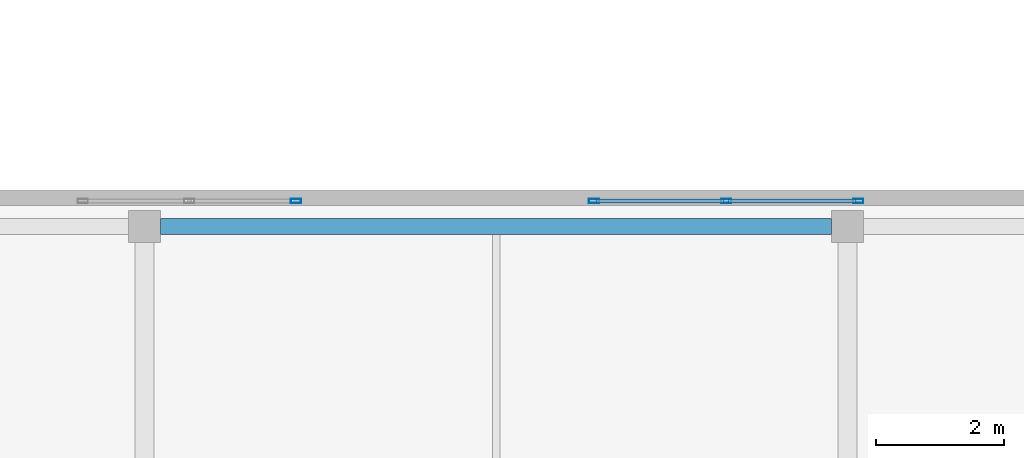
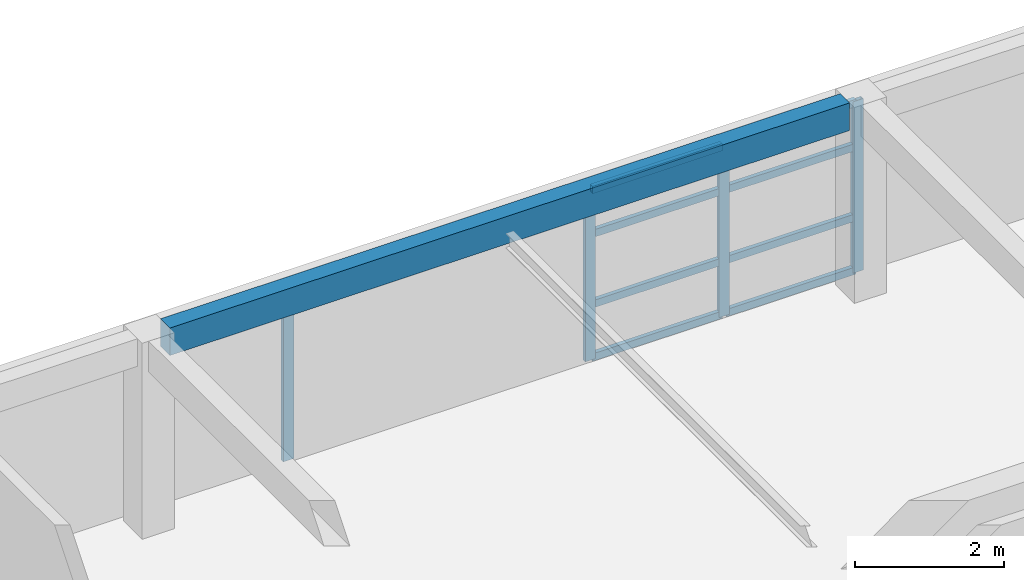
# One storey, part 27 of 89: 12 members, 1 beam, 2 elements without a shape of their own.
"""IFC4 building model written with IfcOpenShell, lengths in metres."""

from ifc_helpers import new_model, si_unit, direction, frame, origin, origin_2d, place, context, subcontext, project, spatial, rectangle, hollow_rectangle, extrude, material, layer, layer_set, material_profile, profile_set, type_object, element, aggregate, save


model = new_model("IFC4")

# Units and contexts
model_context = context("Model", 3, precision=1e-05, world=origin(), true_north=direction((0.0, 1.0)))
body_context = subcontext(model_context, "Body", "Model", "MODEL_VIEW")
ifc_project = project(units=[si_unit("LENGTHUNIT", "METRE"), si_unit("AREAUNIT", "SQUARE_METRE"), si_unit("VOLUMEUNIT", "CUBIC_METRE"), si_unit("PLANEANGLEUNIT", "RADIAN"), si_unit("MASSUNIT", "GRAM", prefix="KILO")], contexts=[model_context])

# Site, building, storey
site_placement = place(None, origin())
site = spatial("IfcSite", under=ifc_project, at=site_placement, CompositionType="ELEMENT")
building_placement = place(site_placement, origin())
building = spatial("IfcBuilding", under=site, at=building_placement, Name="Keldmere Railside Commons", CompositionType="ELEMENT")
storey_placement = place(building_placement, frame((0.0, 0.0, 7.360107421875)))
storey = spatial("IfcBuildingStorey", under=building, at=storey_placement, Name="L02", CompositionType="ELEMENT", Elevation=7.360107421875)

# Beam
ifc_material_1 = material(Name="Architectural Precast Concrete H-35 (C35/45)", Category="concrete")
ifc_material_profile_1 = material_profile(ifc_material_1, rectangle(XDim=0.25, YDim=0.449951171875, at=origin_2d()), Name="RC-250x450")
ifc_profile_set_1 = profile_set([ifc_material_profile_1], Name="Architectural Precast Concrete H-35 (C35/45)")
beam_type = type_object("IfcBeamType", Name="Perimeter Precast Spandrel Beam 250x450", PredefinedType="SPANDREL", material=ifc_profile_set_1)
beam_placement = place(storey_placement, frame((148.25, 39.550048828125, 2.974853515625), z_axis=(1.0, 0.0, 0.0), x_axis=(0.0, 1.0, 0.0)))
element("IfcBeam", 1, at=beam_placement, inside=storey, type_object=beam_type, Name="SPB-1 BM-L02-1065", PredefinedType="SPANDREL", context=body_context, shape_type="SweptSolid", body=[
    extrude(rectangle(XDim=0.25, YDim=0.449951171875, at=origin_2d()), origin(), (0.0, 0.0, 1.0), 10.5),
])

# Curtain wall, member
ifc_material_2 = material(Name="Thermally Broken Aluminium", Category="aluminium")
ifc_layer_1 = layer(ifc_material_2, 0.159912109375, Name="Sky-Terrace Lounge CW 3400x2850")
ifc_layer_set_1 = layer_set([ifc_layer_1], Name="Thermally Broken Aluminium")
curtain_wall_type_1 = type_object("IfcCurtainWallType", Name="Sky-Terrace Lounge CW 3400x2850", PredefinedType="NOTDEFINED", material=ifc_layer_set_1)
curtain_wall_1_placement = place(storey_placement, origin())
curtain_wall_1 = element("IfcCurtainWall", 2, at=curtain_wall_1_placement, inside=storey, type_object=curtain_wall_type_1, Name="CW-14 CW-L02-226", PredefinedType="NOTDEFINED")
ifc_material_profile_2 = material_profile(ifc_material_2, hollow_rectangle(XDim=0.06494140625, YDim=0.159912109375, WallThickness=0.00390625, at=origin_2d()), Name="ALU-MULL-65x160")
ifc_profile_set_2 = profile_set([ifc_material_profile_2], Name="Thermally Broken Aluminium")
member_type_1 = type_object("IfcMemberType", Name="Unitised Curtain Wall Mullion 65x160", PredefinedType="MULLION", material=ifc_profile_set_2)
member_1_placement = place(storey_placement, frame((150.367431640625, 39.949951171875, 0.0), z_axis=(0.0, 0.0, 1.0), x_axis=(0.0, 1.0, 0.0)))
member_1 = element("IfcMember", 3, at=member_1_placement, type_object=member_type_1, Name="CW-14 mullion 3", PredefinedType="MULLION", context=body_context, shape_type="SweptSolid", body=[
    extrude(hollow_rectangle(XDim=0.06494140625, YDim=0.159912109375, WallThickness=0.00390625, at=origin_2d()), origin(), (0.0, 0.0, 1.0), 2.7998046875),
])
aggregate(curtain_wall_1, [member_1])

# Curtain wall, members
ifc_layer_2 = layer(ifc_material_2, 0.159912109375, Name="Sky-Terrace Corner CW 4200x2850")
ifc_layer_set_2 = layer_set([ifc_layer_2], Name="Thermally Broken Aluminium")
curtain_wall_type_2 = type_object("IfcCurtainWallType", Name="Sky-Terrace Corner CW 4200x2850", PredefinedType="NOTDEFINED", material=ifc_layer_set_2)
curtain_wall_2_placement = place(storey_placement, origin())
curtain_wall_2 = element("IfcCurtainWall", 4, at=curtain_wall_2_placement, inside=storey, type_object=curtain_wall_type_2, Name="CW-15 CW-L02-227", PredefinedType="NOTDEFINED")
member_2_placement = place(storey_placement, frame((155.032470703125, 39.949951171875, 0.0), z_axis=(0.0, 0.0, 1.0), x_axis=(0.0, 1.0, 0.0)))
member_2 = element("IfcMember", 5, at=member_2_placement, type_object=member_type_1, Name="CW-15 mullion 1", PredefinedType="MULLION", context=body_context, shape_type="SweptSolid", body=[
    extrude(hollow_rectangle(XDim=0.06494140625, YDim=0.159912109375, WallThickness=0.00390625, at=origin_2d()), origin(), (0.0, 0.0, 1.0), 2.7998046875),
])
member_3_placement = place(storey_placement, frame((157.10009765625, 39.949951171875, 0.0), z_axis=(0.0, 0.0, 1.0), x_axis=(0.0, 1.0, 0.0)))
member_3 = element("IfcMember", 6, at=member_3_placement, type_object=member_type_1, Name="CW-15 mullion 2", PredefinedType="MULLION", context=body_context, shape_type="SweptSolid", body=[
    extrude(hollow_rectangle(XDim=0.06494140625, YDim=0.159912109375, WallThickness=0.00390625, at=origin_2d()), origin(), (0.0, 0.0, 1.0), 2.7998046875),
])
member_4_placement = place(storey_placement, frame((159.16748046875, 39.949951171875, 0.0), z_axis=(0.0, 0.0, 1.0), x_axis=(0.0, 1.0, 0.0)))
member_4 = element("IfcMember", 7, at=member_4_placement, type_object=member_type_1, Name="CW-15 mullion 3", PredefinedType="MULLION", context=body_context, shape_type="SweptSolid", body=[
    extrude(hollow_rectangle(XDim=0.06494140625, YDim=0.159912109375, WallThickness=0.00390625, at=origin_2d()), origin(), (0.0, 0.0, 1.0), 2.7998046875),
])
ifc_material_profile_3 = material_profile(ifc_material_2, hollow_rectangle(XDim=0.06494140625, YDim=0.1201171875, WallThickness=0.00390625, at=origin_2d()), Name="ALU-TRAN-65x120")
ifc_profile_set_3 = profile_set([ifc_material_profile_3], Name="Thermally Broken Aluminium")
member_type_2 = type_object("IfcMemberType", Name="Unitised Curtain Wall Transom 65x120", PredefinedType="USERDEFINED", material=ifc_profile_set_3)
member_5_placement = place(storey_placement, frame((155.06494140625, 39.949951171875, 0.032470703125), z_axis=(1.0, 0.0, 0.0), x_axis=(0.0, 1.0, 0.0)))
member_5 = element("IfcMember", 8, at=member_5_placement, type_object=member_type_2, Name="CW-15 transom 1.1", ObjectType="TRANSOM", PredefinedType="USERDEFINED", context=body_context, shape_type="SweptSolid", body=[
    extrude(hollow_rectangle(XDim=0.06494140625, YDim=0.1201171875, WallThickness=0.00390625, at=origin_2d()), origin(), (0.0, 0.0, 1.0), 2.00244140625),
])
member_6_placement = place(storey_placement, frame((155.06494140625, 39.949951171875, 0.89990234375), z_axis=(1.0, 0.0, 0.0), x_axis=(0.0, 1.0, 0.0)))
member_6 = element("IfcMember", 9, at=member_6_placement, type_object=member_type_2, Name="CW-15 transom 1.2", ObjectType="TRANSOM", PredefinedType="USERDEFINED", context=body_context, shape_type="SweptSolid", body=[
    extrude(hollow_rectangle(XDim=0.06494140625, YDim=0.1201171875, WallThickness=0.00390625, at=origin_2d()), origin(), (0.0, 0.0, 1.0), 2.00244140625),
])
member_7_placement = place(storey_placement, frame((155.06494140625, 39.949951171875, 2.0498046875), z_axis=(1.0, 0.0, 0.0), x_axis=(0.0, 1.0, 0.0)))
member_7 = element("IfcMember", 10, at=member_7_placement, type_object=member_type_2, Name="CW-15 transom 1.3", ObjectType="TRANSOM", PredefinedType="USERDEFINED", context=body_context, shape_type="SweptSolid", body=[
    extrude(hollow_rectangle(XDim=0.06494140625, YDim=0.1201171875, WallThickness=0.00390625, at=origin_2d()), origin(), (0.0, 0.0, 1.0), 2.00244140625),
])
member_8_placement = place(storey_placement, frame((155.06494140625, 39.949951171875, 2.767333984375), z_axis=(1.0, 0.0, 0.0), x_axis=(0.0, 1.0, 0.0)))
member_8 = element("IfcMember", 11, at=member_8_placement, type_object=member_type_2, Name="CW-15 transom 1.4", ObjectType="TRANSOM", PredefinedType="USERDEFINED", context=body_context, shape_type="SweptSolid", body=[
    extrude(hollow_rectangle(XDim=0.06494140625, YDim=0.1201171875, WallThickness=0.00390625, at=origin_2d()), origin(), (0.0, 0.0, 1.0), 2.00244140625),
])
member_9_placement = place(storey_placement, frame((157.132568359375, 39.949951171875, 0.032470703125), z_axis=(1.0, 0.0, 0.0), x_axis=(0.0, 1.0, 0.0)))
member_9 = element("IfcMember", 12, at=member_9_placement, type_object=member_type_2, Name="CW-15 transom 2.1", ObjectType="TRANSOM", PredefinedType="USERDEFINED", context=body_context, shape_type="SweptSolid", body=[
    extrude(hollow_rectangle(XDim=0.06494140625, YDim=0.1201171875, WallThickness=0.00390625, at=origin_2d()), origin(), (0.0, 0.0, 1.0), 2.00244140625),
])
member_10_placement = place(storey_placement, frame((157.132568359375, 39.949951171875, 0.89990234375), z_axis=(1.0, 0.0, 0.0), x_axis=(0.0, 1.0, 0.0)))
member_10 = element("IfcMember", 13, at=member_10_placement, type_object=member_type_2, Name="CW-15 transom 2.2", ObjectType="TRANSOM", PredefinedType="USERDEFINED", context=body_context, shape_type="SweptSolid", body=[
    extrude(hollow_rectangle(XDim=0.06494140625, YDim=0.1201171875, WallThickness=0.00390625, at=origin_2d()), origin(), (0.0, 0.0, 1.0), 2.00244140625),
])
member_11_placement = place(storey_placement, frame((157.132568359375, 39.949951171875, 2.0498046875), z_axis=(1.0, 0.0, 0.0), x_axis=(0.0, 1.0, 0.0)))
member_11 = element("IfcMember", 14, at=member_11_placement, type_object=member_type_2, Name="CW-15 transom 2.3", ObjectType="TRANSOM", PredefinedType="USERDEFINED", context=body_context, shape_type="SweptSolid", body=[
    extrude(hollow_rectangle(XDim=0.06494140625, YDim=0.1201171875, WallThickness=0.00390625, at=origin_2d()), origin(), (0.0, 0.0, 1.0), 2.00244140625),
])
member_12_placement = place(storey_placement, frame((157.132568359375, 39.949951171875, 2.767333984375), z_axis=(1.0, 0.0, 0.0), x_axis=(0.0, 1.0, 0.0)))
member_12 = element("IfcMember", 15, at=member_12_placement, type_object=member_type_2, Name="CW-15 transom 2.4", ObjectType="TRANSOM", PredefinedType="USERDEFINED", context=body_context, shape_type="SweptSolid", body=[
    extrude(hollow_rectangle(XDim=0.06494140625, YDim=0.1201171875, WallThickness=0.00390625, at=origin_2d()), origin(), (0.0, 0.0, 1.0), 2.00244140625),
])
aggregate(curtain_wall_2, [member_2, member_3, member_4, member_5, member_6, member_7, member_8, member_9, member_10, member_11, member_12])

save(model, "model.ifc")
